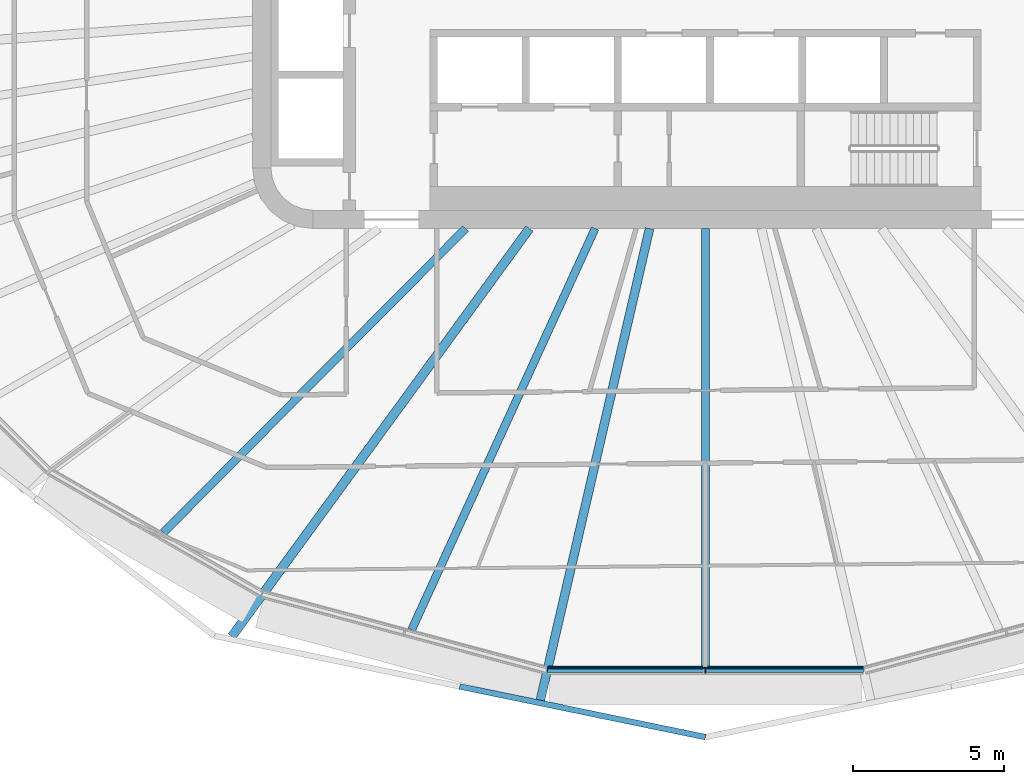
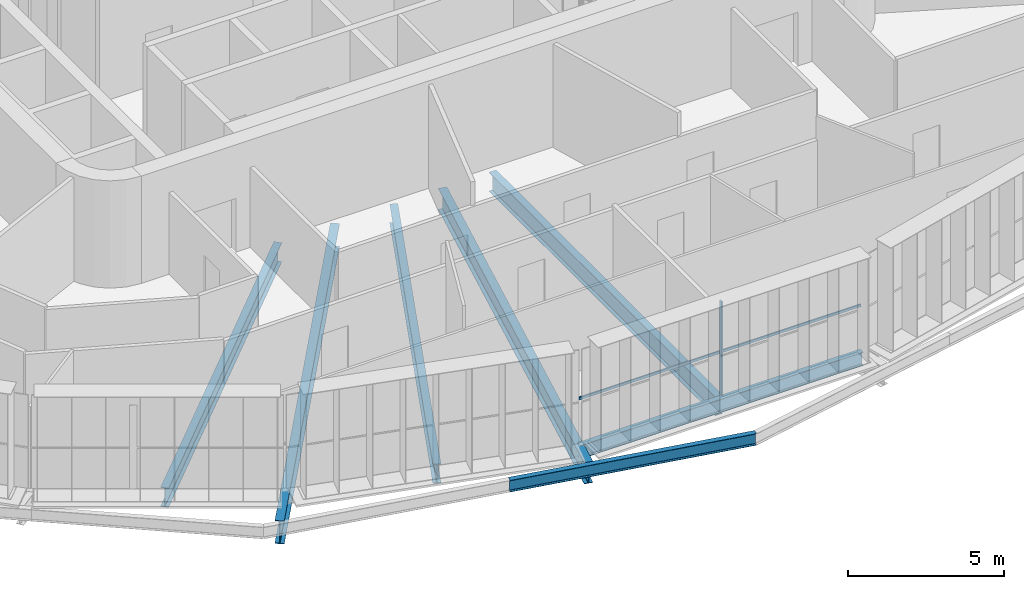
# One storey, part 2 of 22: 7 beams, 2 members, 1 element without a shape of its own.
"""IFC4 building model written with IfcOpenShell, lengths in metres."""

from ifc_helpers import new_model, si_unit, direction, frame, origin, origin_2d, place, context, subcontext, project, spatial, rectangle, i_section, extrude, material, layer, layer_set, material_profile, profile_set, type_object, element, aggregate, save


model = new_model("IFC4")

# Units and contexts
model_context = context("Model", 3, precision=1e-05, world=origin(), true_north=direction((0.0, 1.0)))
body_context = subcontext(model_context, "Body", "Model", "MODEL_VIEW")
ifc_project = project(units=[si_unit("LENGTHUNIT", "METRE"), si_unit("AREAUNIT", "SQUARE_METRE"), si_unit("VOLUMEUNIT", "CUBIC_METRE"), si_unit("PLANEANGLEUNIT", "RADIAN"), si_unit("MASSUNIT", "GRAM", prefix="KILO")], contexts=[model_context])

# Site, building, storey
site_placement = place(None, origin())
site = spatial("IfcSite", under=ifc_project, at=site_placement, CompositionType="ELEMENT")
building_placement = place(site_placement, origin())
building = spatial("IfcBuilding", under=site, at=building_placement, Name="Sahrelin Media Tower", CompositionType="ELEMENT")
storey_placement = place(building_placement, frame((0.0, 0.0, 50.39990234375)))
storey = spatial("IfcBuildingStorey", under=building, at=storey_placement, Name="L07", CompositionType="ELEMENT", Elevation=50.39990234375)

# Beam
ifc_material_1 = material(Name="Steel S355", Category="steel")
ifc_material_profile_1 = material_profile(ifc_material_1, i_section(OverallWidth=0.208740234375, OverallDepth=0.5283203125, WebThickness=0.009521484375, FlangeThickness=0.01318359375, FilletRadius=0.0126953125, at=origin_2d()), Name="UB 533x210x82")
ifc_profile_set_1 = profile_set([ifc_material_profile_1], Name="Steel S355")
beam_type_1 = type_object("IfcBeamType", Name="Edge beam EB6", PredefinedType="BEAM", material=ifc_profile_set_1)
beam_1_placement = place(storey_placement, frame((5.232666015625, -22.601806640625, -0.4140625), z_axis=(-1.0, 0.0, 0.0), x_axis=(0.0, -1.0, 0.0)))
element("IfcBeam", 1, at=beam_1_placement, inside=storey, type_object=beam_type_1, Name="Edge beam L07-07", PredefinedType="BEAM", context=body_context, shape_type="SweptSolid", body=[
    extrude(i_section(OverallWidth=0.208740234375, OverallDepth=0.5283203125, WebThickness=0.009521484375, FlangeThickness=0.01318359375, FilletRadius=0.0126953125, at=origin_2d()), origin(), (0.0, 0.0, 1.0), 10.46533203125),
])

# Curtain wall, member
ifc_material_2 = material(Name="Champagne anodised aluminium 6063-T6", Category="aluminium")
ifc_layer = layer(ifc_material_2, 0.14990234375)
ifc_layer_set = layer_set([ifc_layer], Name="Tower ribbon curtain wall")
curtain_wall_type = type_object("IfcCurtainWallType", Name="Tower ribbon curtain wall", PredefinedType="NOTDEFINED", material=ifc_layer_set)
curtain_wall_placement = place(storey_placement, frame((0.0, -22.751708984375, 0.0), z_axis=(0.0, 0.0, 1.0), x_axis=(1.0, 0.0, 0.0)))
curtain_wall = element("IfcCurtainWall", 2, at=curtain_wall_placement, inside=storey, type_object=curtain_wall_type, Name="L07:CW:L07-18", PredefinedType="NOTDEFINED")
ifc_material_profile_2 = material_profile(ifc_material_2, rectangle(XDim=0.06005859375, YDim=0.14990234375, at=origin_2d()), Name="Mullion 60x150")
ifc_profile_set_2 = profile_set([ifc_material_profile_2], Name="Champagne anodised aluminium 6063-T6")
member_type_1 = type_object("IfcMemberType", Name="Mullion 60x150 CW1", PredefinedType="MULLION", material=ifc_profile_set_2)
member_1_placement = place(storey_placement, frame((0.0, -22.65673828125, 0.0), z_axis=(0.0, 0.0, 1.0), x_axis=(1.0, 0.0, 0.0)))
member_1 = element("IfcMember", 3, at=member_1_placement, type_object=member_type_1, Name="L07:CWM:L07-18", PredefinedType="MULLION", context=body_context, shape_type="SweptSolid", body=[
    extrude(rectangle(XDim=0.06005859375, YDim=0.14990234375, at=origin_2d()), origin(), (0.0, 0.0, 1.0), 3.648681640625),
])

# Beams
ifc_material_profile_3 = material_profile(ifc_material_1, i_section(OverallWidth=0.291748046875, OverallDepth=0.8349609375, WebThickness=0.013916015625, FlangeThickness=0.018798828125, FilletRadius=0.017822265625, at=origin_2d()), Name="UB 838x292x176")
ifc_profile_set_3 = profile_set([ifc_material_profile_3], Name="Steel S355")
beam_type_2 = type_object("IfcBeamType", Name="Radial primary beam PB10", PredefinedType="BEAM", material=ifc_profile_set_3)
beam_2_placement = place(storey_placement, frame((-1.85205078125, -8.0, -0.5673828125), z_axis=(-0.225518807916, -0.974238814294, 0.0), x_axis=(0.974238814294, -0.225518807916, 0.0)))
element("IfcBeam", 4, at=beam_2_placement, inside=storey, type_object=beam_type_2, Name="Radial beam L07-18", PredefinedType="BEAM", context=body_context, shape_type="SweptSolid", body=[
    extrude(i_section(OverallWidth=0.291748046875, OverallDepth=0.8349609375, WebThickness=0.013916015625, FlangeThickness=0.018798828125, FilletRadius=0.017822265625, at=origin_2d()), origin(), (0.0, 0.0, 1.0), 16.0361328125),
])
ifc_material_profile_4 = material_profile(ifc_material_1, i_section(OverallWidth=0.30322265625, OverallDepth=0.903076171875, WebThickness=0.01513671875, FlangeThickness=0.020263671875, FilletRadius=0.01904296875, at=origin_2d()), Name="UB 914x305x201")
ifc_profile_set_4 = profile_set([ifc_material_profile_4], Name="Steel S355")
beam_type_3 = type_object("IfcBeamType", Name="Radial primary beam PB11", PredefinedType="BEAM", material=ifc_profile_set_4)
beam_3_placement = place(storey_placement, frame((-5.83349609375, -8.0, -0.601318359375), z_axis=(-0.589182282122, -0.808000147546, 0.0), x_axis=(0.808000147546, -0.589182282122, 0.0)))
element("IfcBeam", 5, at=beam_3_placement, inside=storey, type_object=beam_type_3, Name="Radial beam L07-17", PredefinedType="BEAM", context=body_context, shape_type="SweptSolid", body=[
    extrude(i_section(OverallWidth=0.30322265625, OverallDepth=0.903076171875, WebThickness=0.01513671875, FlangeThickness=0.020263671875, FilletRadius=0.01904296875, at=origin_2d()), origin(), (0.0, 0.0, 1.0), 16.72705078125),
])
ifc_material_profile_5 = material_profile(ifc_material_1, i_section(OverallWidth=0.26513671875, OverallDepth=0.75390625, WebThickness=0.0126953125, FlangeThickness=0.017578125, FilletRadius=0.0166015625, at=origin_2d()), Name="UB 762x267x147")
ifc_profile_set_5 = profile_set([ifc_material_profile_5], Name="Steel S355")
beam_type_4 = type_object("IfcBeamType", Name="Radial secondary beam SB9", PredefinedType="BEAM", material=ifc_profile_set_5)
beam_4_placement = place(storey_placement, frame((-7.948486328125, -8.0, -0.52685546875), z_axis=(-0.704816337712, -0.709389829426, 0.0), x_axis=(0.709389829426, -0.704816337712, 0.0)))
element("IfcBeam", 6, at=beam_4_placement, inside=storey, type_object=beam_type_4, Name="Secondary beam L07-16", PredefinedType="BEAM", context=body_context, shape_type="SweptSolid", body=[
    extrude(i_section(OverallWidth=0.26513671875, OverallDepth=0.75390625, WebThickness=0.0126953125, FlangeThickness=0.017578125, FilletRadius=0.0166015625, at=origin_2d()), origin(), (0.0, 0.0, 1.0), 14.199462890625),
])
beam_5_placement = place(storey_placement, frame((-3.656982421875, -8.0, -0.52685546875), z_axis=(-0.415742784264, -0.909482235853, 0.0), x_axis=(0.909482235853, -0.415742784264, 0.0)))
element("IfcBeam", 7, at=beam_5_placement, inside=storey, type_object=beam_type_4, Name="Secondary beam L07-17", PredefinedType="BEAM", context=body_context, shape_type="SweptSolid", body=[
    extrude(i_section(OverallWidth=0.26513671875, OverallDepth=0.75390625, WebThickness=0.0126953125, FlangeThickness=0.017578125, FilletRadius=0.0166015625, at=origin_2d()), origin(), (0.0, 0.0, 1.0), 14.61474609375),
])
beam_6_placement = place(storey_placement, frame((0.0, -8.0, -0.52685546875), z_axis=(0.0, -1.0, 0.0), x_axis=(1.0, 0.0, 0.0)))
element("IfcBeam", 8, at=beam_6_placement, inside=storey, type_object=beam_type_4, Name="Secondary beam L07-18", PredefinedType="BEAM", context=body_context, shape_type="SweptSolid", body=[
    extrude(i_section(OverallWidth=0.26513671875, OverallDepth=0.75390625, WebThickness=0.0126953125, FlangeThickness=0.017578125, FilletRadius=0.0166015625, at=origin_2d()), origin(), (0.0, 0.0, 1.0), 14.497314453125),
])
ifc_material_profile_6 = material_profile(ifc_material_1, i_section(OverallWidth=0.1904296875, OverallDepth=0.45703125, WebThickness=0.009033203125, FlangeThickness=0.014404296875, FilletRadius=0.01025390625, at=origin_2d()), Name="UB 457x191x74")
ifc_profile_set_6 = profile_set([ifc_material_profile_6], Name="Steel S355")
beam_type_5 = type_object("IfcBeamType", Name="Tie chord TC5", PredefinedType="BEAM", material=ifc_profile_set_6)
beam_7_placement = place(storey_placement, frame((0.0, -24.848388671875, -0.37841796875), z_axis=(-0.979376603449, 0.202043234522, 0.0), x_axis=(-0.202043234522, -0.979376603449, 0.0)))
element("IfcBeam", 9, at=beam_7_placement, inside=storey, type_object=beam_type_5, Name="Tie chord L07-07", PredefinedType="BEAM", context=body_context, shape_type="SweptSolid", body=[
    extrude(i_section(OverallWidth=0.1904296875, OverallDepth=0.45703125, WebThickness=0.009033203125, FlangeThickness=0.014404296875, FilletRadius=0.01025390625, at=origin_2d()), origin(), (0.0, 0.0, 1.0), 8.312255859375),
])

# Member
ifc_material_profile_7 = material_profile(ifc_material_2, rectangle(XDim=0.050048828125, YDim=0.10009765625, at=origin_2d()), Name="Transom 50x100")
ifc_profile_set_7 = profile_set([ifc_material_profile_7], Name="Champagne anodised aluminium 6063-T6")
member_type_2 = type_object("IfcMemberType", Name="Transom 50x100 CW1", PredefinedType="USERDEFINED", material=ifc_profile_set_7)
member_2_placement = place(storey_placement, frame((-5.216796875, -22.556884765625, 1.60009765625), z_axis=(1.0, 0.0, 0.0), x_axis=(0.0, 1.0, 0.0)))
member_2 = element("IfcMember", 10, at=member_2_placement, type_object=member_type_2, Name="L07:CWT:L07-18", ObjectType="TRANSOM", PredefinedType="USERDEFINED", context=body_context, shape_type="SweptSolid", body=[
    extrude(rectangle(XDim=0.050048828125, YDim=0.10009765625, at=origin_2d()), origin(), (0.0, 0.0, 1.0), 10.43359375),
])

aggregate(curtain_wall, [member_1, member_2])

save(model, "model.ifc")
